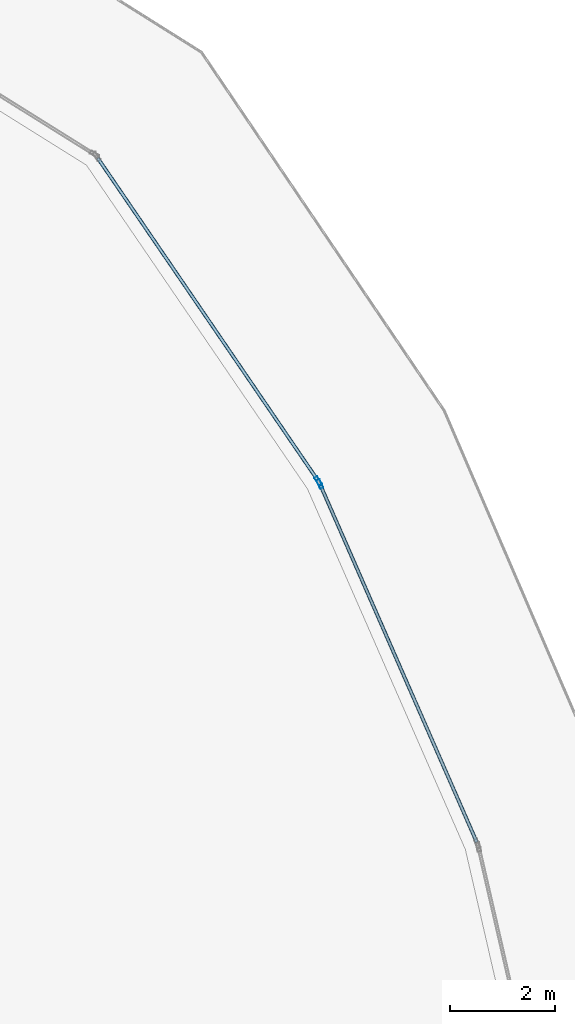
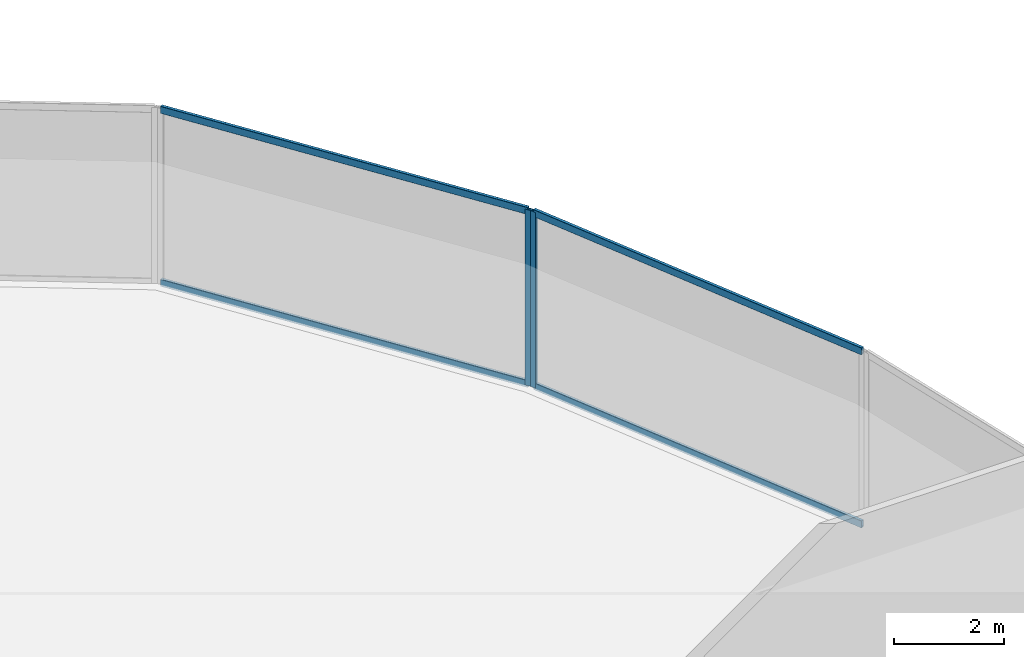
# One storey, part 26 of 42: 6 members, 2 elements without a shape of their own.
"""IFC4 building model written with IfcOpenShell, lengths in metres."""

import ifcopenshell
import ifcopenshell.guid

model = None  # the IFC model being written
_history = None  # IfcOwnerHistory: only IFC2X3 demands one
_inside = {}  # id of a spatial element -> (the spatial element, [elements in it])
_under = {}  # id of a project, library or spatial element -> (it, [spatial elements below it])
_declared = {}  # id of a project -> (the project, [libraries it declares])
_typed = {}  # id of a type object -> (the type object, [elements of that type])
_made_of = {}  # id of a material, layer set ... -> (it, [elements and type objects made of it])


def new_model(schema):
    """Start an empty IFC model of exactly this schema.

    Asked for "IFC4X3", IfcOpenShell would pick the latest addendum, in which some entities
    have other attributes; the version numbers below select the first issue.
    IFC2X3 requires an IfcOwnerHistory on every rooted entity: one is made here for all.
    """
    global model, _history
    if schema == "IFC4X3":
        model = ifcopenshell.file(schema_version=(4, 3, 0, 0))
    else:
        model = ifcopenshell.file(schema=schema)
    _inside.clear()
    _under.clear()
    _declared.clear()
    _typed.clear()
    _made_of.clear()
    _history = None
    if model.schema == "IFC2X3":
        org = make("IfcOrganization", Name="unknown")
        user = make(
            "IfcPersonAndOrganization",
            ThePerson=make("IfcPerson", FamilyName="unknown"),
            TheOrganization=org,
        )
        app = make(
            "IfcApplication",
            ApplicationDeveloper=org,
            Version="unknown",
            ApplicationFullName="unknown",
            ApplicationIdentifier="unknown",
        )
        _history = make(
            "IfcOwnerHistory",
            OwningUser=user,
            OwningApplication=app,
            ChangeAction="ADDED",
            CreationDate=0,
        )
    return model


def make(cls, **values):
    """One entity of the class cls with the attributes given. An attribute that is None is left unset."""
    return model.create_entity(
        cls, **{name: value for name, value in values.items() if value is not None}
    )


def rooted(cls, **values):
    """An entity with a GlobalId (a new one), such as an element, a storey or a relation."""
    return make(cls, GlobalId=ifcopenshell.guid.new(), OwnerHistory=_history, **values)


def si_unit(unit_type, name, prefix=None):
    """IfcSIUnit, for example si_unit("LENGTHUNIT", "METRE", prefix="MILLI")."""
    return make("IfcSIUnit", UnitType=unit_type, Prefix=prefix, Name=name)


def assignment(units):
    """IfcUnitAssignment: the units of a project."""
    return None if units is None else make("IfcUnitAssignment", Units=units)


def point(xyz):
    """IfcCartesianPoint."""
    return None if xyz is None else make("IfcCartesianPoint", Coordinates=xyz)


def direction(xyz):
    """IfcDirection."""
    return None if xyz is None else make("IfcDirection", DirectionRatios=xyz)


def frame(location, z_axis=None, x_axis=None):
    """IfcAxis2Placement3D, a coordinate frame: its origin and axes. An axis left out is left unset."""
    return make(
        "IfcAxis2Placement3D",
        Location=point(location),
        Axis=direction(z_axis),
        RefDirection=direction(x_axis),
    )


def frame_2d(location, x_axis=None):
    """IfcAxis2Placement2D, a coordinate frame in the plane: its origin and x axis."""
    return make(
        "IfcAxis2Placement2D", Location=point(location), RefDirection=direction(x_axis)
    )


def origin():
    """The frame at (0, 0, 0) with its axes left unset."""
    return frame((0.0, 0.0, 0.0))


def origin_2d():
    """The frame at (0, 0) in the plane with its x axis left unset."""
    return frame_2d((0.0, 0.0))


def place(relative_to, where):
    """IfcLocalPlacement: puts the frame where relative to a parent placement (None: the world)."""
    return make(
        "IfcLocalPlacement", PlacementRelTo=relative_to, RelativePlacement=where
    )


def context(
    kind, dimensions, precision=None, world=None, true_north=None, identifier=None
):
    """IfcGeometricRepresentationContext, for example the 3D "Model" context."""
    return make(
        "IfcGeometricRepresentationContext",
        ContextIdentifier=identifier,
        ContextType=kind,
        CoordinateSpaceDimension=dimensions,
        Precision=precision,
        WorldCoordinateSystem=world,
        TrueNorth=true_north,
    )


def subcontext(parent, identifier, kind, view, scale=None):
    """IfcGeometricRepresentationSubContext, for example "Body" below "Model"."""
    return make(
        "IfcGeometricRepresentationSubContext",
        ContextIdentifier=identifier,
        ContextType=kind,
        ParentContext=parent,
        TargetScale=scale,
        TargetView=view,
    )


def project(units=None, contexts=None):
    """IfcProject with its units and contexts."""
    return rooted(
        "IfcProject",
        Name="project",
        RepresentationContexts=contexts,
        UnitsInContext=assignment(units),
    )


def spatial(cls, under=None, at=None, **own):
    """A site, building, storey or space (cls), placed at a placement, below another one or the project."""
    s = rooted(cls, ObjectPlacement=at, **own)
    if under is not None:
        _under.setdefault(under.id(), (under, []))[1].append(s)
    return s


def profile(cls, at=None, kind="AREA", **sizes):
    """A parametric profile (cls). Its sizes go by their IFC names, for example OverallWidth=200.0."""
    return make(cls, ProfileType=kind, Position=at, **sizes)


def hollow_rectangle(**sizes):
    """IfcRectangleHollowProfileDef."""
    return profile("IfcRectangleHollowProfileDef", **sizes)


def extrude(swept, where, along, depth):
    """IfcExtrudedAreaSolid: the profile swept, set in the frame where, extruded along a direction by depth."""
    return make(
        "IfcExtrudedAreaSolid",
        SweptArea=swept,
        Position=where,
        ExtrudedDirection=direction(along),
        Depth=depth,
    )


def shape(context_of_items, identifier, shape_type, items):
    """IfcShapeRepresentation: the items that make up one representation, for example the "Body"."""
    return make(
        "IfcShapeRepresentation",
        ContextOfItems=context_of_items,
        RepresentationIdentifier=identifier,
        RepresentationType=shape_type,
        Items=items,
    )


def material(Name=None, Category=None):
    """IfcMaterial."""
    return make("IfcMaterial", Name=Name, Category=Category)


def layer(
    of_material, thickness, ventilated=None, Name=None, Category=None, Priority=None
):
    """IfcMaterialLayer: one layer of a wall or slab, of a material (None: an air gap)."""
    return make(
        "IfcMaterialLayer",
        Material=of_material,
        LayerThickness=thickness,
        IsVentilated=ventilated,
        Name=Name,
        Category=Category,
        Priority=Priority,
    )


def layer_set(layers, Name=None):
    """IfcMaterialLayerSet."""
    return make("IfcMaterialLayerSet", MaterialLayers=layers, LayerSetName=Name)


def material_profile(
    of_material, cross_section, Name=None, Category=None, Priority=None
):
    """IfcMaterialProfile: a cross section and its material."""
    return make(
        "IfcMaterialProfile",
        Name=Name,
        Material=of_material,
        Profile=cross_section,
        Priority=Priority,
        Category=Category,
    )


def profile_set(profiles, Name=None, composite=None):
    """IfcMaterialProfileSet."""
    return make(
        "IfcMaterialProfileSet",
        Name=Name,
        MaterialProfiles=profiles,
        CompositeProfile=composite,
    )


def made_of(thing, what):
    """Note that an element or type object is made of a material, layer set ...; save() writes the relation."""
    if what is not None:
        _made_of.setdefault(what.id(), (what, []))[1].append(thing)
    return thing


def type_object(cls, material=None, **own):
    """A type object (cls), such as IfcWallType, which elements share."""
    return made_of(rooted(cls, **own), material)


def element(
    cls,
    number,
    at=None,
    inside=None,
    cuts=None,
    type_object=None,
    material=None,
    context=None,
    identifier="Body",
    shape_type=None,
    held_by="IfcProductDefinitionShape",
    body=None,
    shapes=None,
    **own,
):
    """One element of the class cls, such as IfcWall. Its Tag is "e" and its number.

    at: its placement. inside: the storey or other place that contains it. cuts: it is an
    opening in that element (IfcRelVoidsElement). A single representation is given by context,
    identifier, shape_type and body (its items); several are given by shapes. held_by: the class
    of the entity that holds the representations. save() writes the other relations.
    """
    e = rooted(cls, Tag="e%d" % number, ObjectPlacement=at, **own)
    if body is not None:
        shapes = [shape(context, identifier, shape_type, body)]
    if shapes is not None:
        e.Representation = make(held_by, Representations=shapes)
    if inside is not None:
        _inside.setdefault(inside.id(), (inside, []))[1].append(e)
    if cuts is not None:
        rooted(
            "IfcRelVoidsElement", RelatingBuildingElement=cuts, RelatedOpeningElement=e
        )
    if type_object is not None:
        _typed.setdefault(type_object.id(), (type_object, []))[1].append(e)
    return made_of(e, material)


def aggregate(whole, parts):
    """IfcRelAggregates: a whole, such as a stair, and the parts it consists of."""
    return rooted("IfcRelAggregates", RelatingObject=whole, RelatedObjects=parts)


def save(model, path):
    """Write the relations noted so far, then the file.

    IfcRelAggregates (storeys below a building ...), IfcRelContainedInSpatialStructure (elements
    in a storey), IfcRelDefinesByType, IfcRelAssociatesMaterial and IfcRelDeclares: one each for
    every whole, place, type object, material and project.
    """
    for whole, parts in _under.values():
        aggregate(whole, parts)
    for where, things in _inside.values():
        rooted(
            "IfcRelContainedInSpatialStructure",
            RelatedElements=things,
            RelatingStructure=where,
        )
    for kind, things in _typed.values():
        rooted("IfcRelDefinesByType", RelatedObjects=things, RelatingType=kind)
    for what, things in _made_of.values():
        rooted("IfcRelAssociatesMaterial", RelatedObjects=things, RelatingMaterial=what)
    for by, libraries in _declared.values():
        rooted("IfcRelDeclares", RelatingContext=by, RelatedDefinitions=libraries)
    model.write(path)


model = new_model("IFC4")

# Units and contexts
model_context = context("Model", 3, precision=1e-05, world=origin(), true_north=direction((0.0, 1.0)))
body_context = subcontext(model_context, "Body", "Model", "MODEL_VIEW")
ifc_project = project(units=[si_unit("LENGTHUNIT", "METRE"), si_unit("AREAUNIT", "SQUARE_METRE"), si_unit("VOLUMEUNIT", "CUBIC_METRE"), si_unit("PLANEANGLEUNIT", "RADIAN"), si_unit("MASSUNIT", "GRAM", prefix="KILO")], contexts=[model_context])

# Site, building, storey
site_placement = place(None, origin())
site = spatial("IfcSite", under=ifc_project, at=site_placement, CompositionType="ELEMENT")
building_placement = place(site_placement, origin())
building = spatial("IfcBuilding", under=site, at=building_placement, Name="Qorvath Tower", CompositionType="ELEMENT")
storey_placement = place(building_placement, frame((0.0, 0.0, 32.39990234375)))
storey = spatial("IfcBuildingStorey", under=building, at=storey_placement, Name="L06", CompositionType="ELEMENT", Elevation=32.39990234375)

# Curtain wall, member
ifc_material_1 = material(Name="Anodised aluminium and triple low-E glass", Category="aluminium")
ifc_layer = layer(ifc_material_1, 0.179931640625)
ifc_layer_set = layer_set([ifc_layer], Name="CW-SYS-2")
curtain_wall_type = type_object("IfcCurtainWallType", Name="CW-SYS-2", PredefinedType="NOTDEFINED", material=ifc_layer_set)
curtain_wall_1_placement = place(storey_placement, origin())
curtain_wall_1 = element("IfcCurtainWall", 1, at=curtain_wall_1_placement, inside=storey, type_object=curtain_wall_type, Name="Curtain Wall CW-2 CW-T-L06-12.1", PredefinedType="NOTDEFINED")
ifc_material_2 = material(Name="Anodised aluminium 6063-T6", Category="aluminium")
ifc_material_profile_1 = material_profile(ifc_material_2, hollow_rectangle(XDim=0.06494140625, YDim=0.179931640625, WallThickness=0.00341796875, InnerFilletRadius=0.00341796875, OuterFilletRadius=0.007080078125, at=origin_2d()), Name="CWM 180x65")
ifc_profile_set_1 = profile_set([ifc_material_profile_1], Name="Anodised aluminium 6063-T6")
member_type_1 = type_object("IfcMemberType", Name="CWM-180", PredefinedType="MULLION", material=ifc_profile_set_1)
member_1_placement = place(storey_placement, frame((2.88623046875, 19.668212890625, 0.0), z_axis=(0.0, 0.0, 1.0), x_axis=(-0.91602619216, -0.401118455419, 0.0)))
member_1 = element("IfcMember", 2, at=member_1_placement, type_object=member_type_1, Name="CW-2 mullion 2", PredefinedType="MULLION", context=body_context, shape_type="SweptSolid", body=[
    extrude(hollow_rectangle(XDim=0.06494140625, YDim=0.179931640625, WallThickness=0.00341796875, InnerFilletRadius=0.00341796875, OuterFilletRadius=0.007080078125, at=origin_2d()), origin(), (0.0, 0.0, 1.0), 3.920166015625),
])

curtain_wall_2_placement = place(storey_placement, origin())
curtain_wall_2 = element("IfcCurtainWall", 3, at=curtain_wall_2_placement, inside=storey, type_object=curtain_wall_type, Name="Curtain Wall CW-2 CW-T-L06-13.1", PredefinedType="NOTDEFINED")
member_2_placement = place(storey_placement, frame((2.85498046875, 19.724853515625, 0.0), z_axis=(0.0, 0.0, 1.0), x_axis=(-0.825864059494, -0.563869271406, 0.0)))
member_2 = element("IfcMember", 4, at=member_2_placement, type_object=member_type_1, Name="CW-2 mullion 1", PredefinedType="MULLION", context=body_context, shape_type="SweptSolid", body=[
    extrude(hollow_rectangle(XDim=0.06494140625, YDim=0.179931640625, WallThickness=0.00341796875, InnerFilletRadius=0.00341796875, OuterFilletRadius=0.007080078125, at=origin_2d()), origin(), (0.0, 0.0, 1.0), 3.920166015625),
])

# Member
ifc_material_3 = material(Name="Anodised aluminium 6063-T6", Category="aluminium")
ifc_material_profile_2 = material_profile(ifc_material_3, hollow_rectangle(XDim=0.06494140625, YDim=0.159912109375, WallThickness=0.00341796875, InnerFilletRadius=0.00341796875, OuterFilletRadius=0.007080078125, at=origin_2d()), Name="CWT 160x65")
ifc_profile_set_2 = profile_set([ifc_material_profile_2], Name="Anodised aluminium 6063-T6")
member_type_2 = type_object("IfcMemberType", Name="CWT-160", PredefinedType="USERDEFINED", material=ifc_profile_set_2)
member_3_placement = place(storey_placement, frame((5.880859375, 12.82958984375, 0.032470703125), z_axis=(-0.40111000853, 0.916029890919, 0.0), x_axis=(-0.916029890919, -0.40111000853, 0.0)))
member_3 = element("IfcMember", 5, at=member_3_placement, type_object=member_type_2, Name="CW-2 transom 1.1", ObjectType="TRANSOM", PredefinedType="USERDEFINED", context=body_context, shape_type="SweptSolid", body=[
    extrude(hollow_rectangle(XDim=0.06494140625, YDim=0.159912109375, WallThickness=0.00341796875, InnerFilletRadius=0.00341796875, OuterFilletRadius=0.007080078125, at=origin_2d()), origin(), (0.0, 0.0, 1.0), 7.43310546875),
])

member_4_placement = place(storey_placement, frame((5.880859375, 12.82958984375, 3.8876953125), z_axis=(-0.40111000853, 0.916029890919, 0.0), x_axis=(-0.916029890919, -0.40111000853, 0.0)))
member_4 = element("IfcMember", 6, at=member_4_placement, type_object=member_type_2, Name="CW-2 transom 1.2", ObjectType="TRANSOM", PredefinedType="USERDEFINED", context=body_context, shape_type="SweptSolid", body=[
    extrude(hollow_rectangle(XDim=0.06494140625, YDim=0.159912109375, WallThickness=0.00341796875, InnerFilletRadius=0.00341796875, OuterFilletRadius=0.007080078125, at=origin_2d()), origin(), (0.0, 0.0, 1.0), 7.43310546875),
])

aggregate(curtain_wall_1, [member_1, member_3, member_4])

member_5_placement = place(storey_placement, frame((2.836669921875, 19.751708984375, 0.032470703125), z_axis=(-0.563875869111, 0.825859554788, 0.0), x_axis=(-0.825859554788, -0.563875869111, 0.0)))
member_5 = element("IfcMember", 7, at=member_5_placement, type_object=member_type_2, Name="CW-2 transom 1.1", ObjectType="TRANSOM", PredefinedType="USERDEFINED", context=body_context, shape_type="SweptSolid", body=[
    extrude(hollow_rectangle(XDim=0.06494140625, YDim=0.159912109375, WallThickness=0.00341796875, InnerFilletRadius=0.00341796875, OuterFilletRadius=0.007080078125, at=origin_2d()), origin(), (0.0, 0.0, 1.0), 7.432861328125),
])

member_6_placement = place(storey_placement, frame((2.836669921875, 19.751708984375, 3.8876953125), z_axis=(-0.563875869111, 0.825859554788, 0.0), x_axis=(-0.825859554788, -0.563875869111, 0.0)))
member_6 = element("IfcMember", 8, at=member_6_placement, type_object=member_type_2, Name="CW-2 transom 1.2", ObjectType="TRANSOM", PredefinedType="USERDEFINED", context=body_context, shape_type="SweptSolid", body=[
    extrude(hollow_rectangle(XDim=0.06494140625, YDim=0.159912109375, WallThickness=0.00341796875, InnerFilletRadius=0.00341796875, OuterFilletRadius=0.007080078125, at=origin_2d()), origin(), (0.0, 0.0, 1.0), 7.432861328125),
])

aggregate(curtain_wall_2, [member_2, member_5, member_6])

save(model, "model.ifc")
